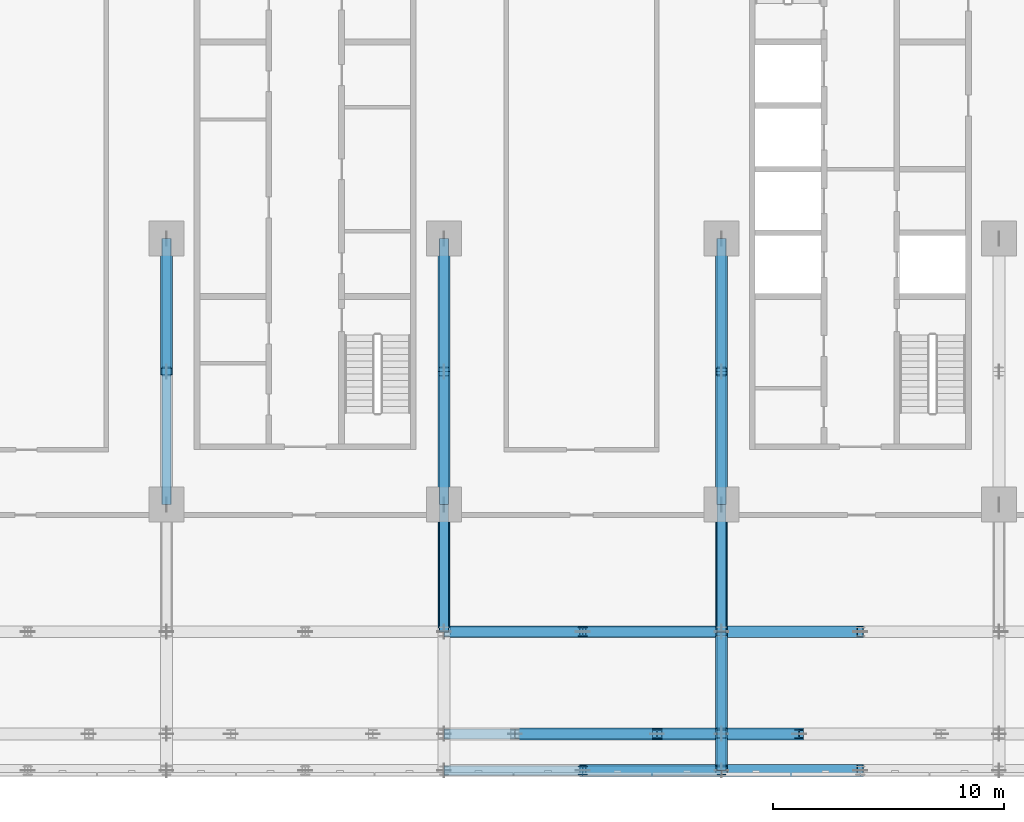
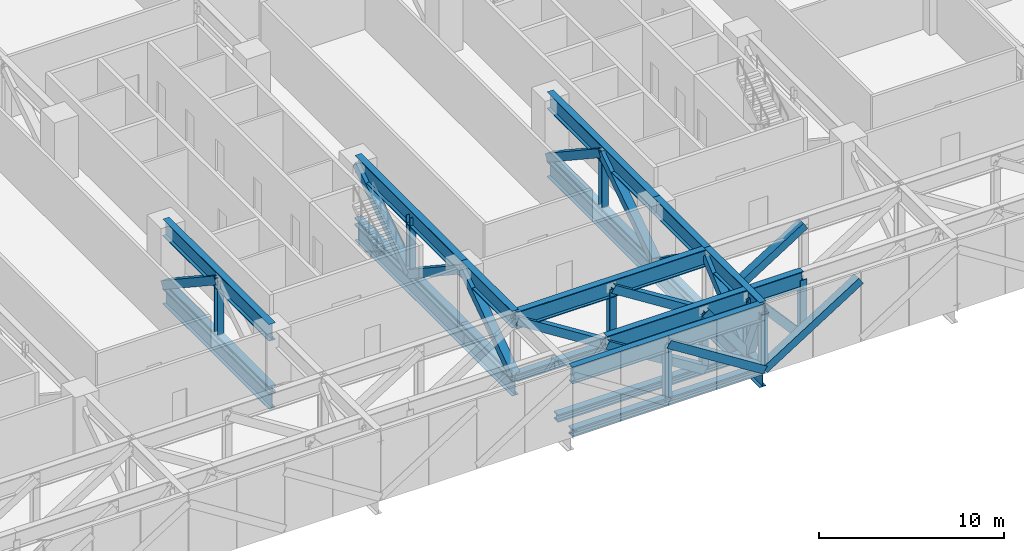
# One storey, part 5 of 26: 44 members, 6 beams.
"""IFC4 building model written with IfcOpenShell, lengths in metres."""

from ifc_helpers import new_model, si_unit, direction, frame, origin, origin_2d, place, context, subcontext, project, spatial, hollow_rectangle, i_section, extrude, material, material_profile, profile_set, type_object, element, save


model = new_model("IFC4")

# Units and contexts
model_context = context("Model", 3, precision=1e-05, world=origin(), true_north=direction((0.0, 1.0)))
body_context = subcontext(model_context, "Body", "Model", "MODEL_VIEW")
ifc_project = project(units=[si_unit("LENGTHUNIT", "METRE"), si_unit("AREAUNIT", "SQUARE_METRE"), si_unit("VOLUMEUNIT", "CUBIC_METRE"), si_unit("PLANEANGLEUNIT", "RADIAN"), si_unit("MASSUNIT", "GRAM", prefix="KILO")], contexts=[model_context])

# Site, building, storey
site_placement = place(None, origin())
site = spatial("IfcSite", under=ifc_project, at=site_placement, CompositionType="ELEMENT")
building_placement = place(site_placement, origin())
building = spatial("IfcBuilding", under=site, at=building_placement, Name="Mahtab Terrace Research Tower", CompositionType="ELEMENT")
storey_placement = place(building_placement, frame((0.0, 0.0, 80.39990234375)))
storey = spatial("IfcBuildingStorey", under=building, at=storey_placement, Name="L18", CompositionType="ELEMENT", Elevation=80.39990234375)

# Members
ifc_material_1 = material(Name="Steel ASTM A500 Gr C", Category="steel")
ifc_material_profile_1 = material_profile(ifc_material_1, hollow_rectangle(XDim=0.508056640625, YDim=0.508056640625, WallThickness=0.01904296875, at=origin_2d()), Name="HSS20X20X3/4")
ifc_profile_set_1 = profile_set([ifc_material_profile_1], Name="Steel ASTM A500 Gr C")
member_type_1 = type_object("IfcMemberType", Name="HSS 20x20x3/4 brace TD202034", PredefinedType="BRACE", material=ifc_profile_set_1)
member_1_placement = place(storey_placement, frame((-6.0, 0.0, -0.29345703125), z_axis=(0.0, -0.834630911502, 0.550809623704), x_axis=(1.0, 0.0, 0.0)))
element("IfcMember", 1, at=member_1_placement, inside=storey, type_object=member_type_1, Name="Transfer truss T2 diagonal 056", PredefinedType="BRACE", context=body_context, shape_type="SweptSolid", body=[
    extrude(hollow_rectangle(XDim=0.508056640625, YDim=0.508056640625, WallThickness=0.01904296875, at=origin_2d()), origin(), (0.0, 0.0, 1.0), 6.88916015625),
])
member_2_placement = place(storey_placement, frame((12.0, -17.0, -0.29345703125), z_axis=(-0.845157783708, 0.0, 0.534516903978), x_axis=(0.0, -1.0, 0.0)))
element("IfcMember", 2, at=member_2_placement, inside=storey, type_object=member_type_1, Name="Transfer truss T2 diagonal 070", PredefinedType="BRACE", context=body_context, shape_type="SweptSolid", body=[
    extrude(hollow_rectangle(XDim=0.508056640625, YDim=0.508056640625, WallThickness=0.01904296875, at=origin_2d()), origin(), (0.0, 0.0, 1.0), 7.099365234375),
])
member_3_placement = place(storey_placement, frame((6.0, -17.0, -0.29345703125), z_axis=(0.0, 0.82310265931, 0.567892606253), x_axis=(-1.0, 0.0, 0.0)))
element("IfcMember", 3, at=member_3_placement, inside=storey, type_object=member_type_1, Name="Transfer truss T2 diagonal 071", PredefinedType="BRACE", context=body_context, shape_type="SweptSolid", body=[
    extrude(hollow_rectangle(XDim=0.508056640625, YDim=0.508056640625, WallThickness=0.01904296875, at=origin_2d()), origin(), (0.0, 0.0, 1.0), 6.68212890625),
])
for number, where, z_axis, x_axis, name in (
    (4, (6.0, -5.75, -0.29345703125), (0.0, -0.834630911502, 0.550809623704), (1.0, 0.0, 0.0), "Transfer truss T2 diagonal 072"),
    (5, (6.0, -5.75, -0.29345703125), (0.0, 0.834630911502, 0.550809623704), (-1.0, 0.0, 0.0), "Transfer truss T2 diagonal 073"),
):
    element("IfcMember", number, at=place(storey_placement, frame(where, z_axis=z_axis, x_axis=x_axis)), inside=storey, type_object=member_type_1, Name=name, PredefinedType="BRACE", context=body_context, shape_type="SweptSolid", body=[
        extrude(hollow_rectangle(XDim=0.508056640625, YDim=0.508056640625, WallThickness=0.01904296875, at=origin_2d()), origin(), (0.0, 0.0, 1.0), 6.88916015625),
    ])
member_4_placement = place(storey_placement, frame((15.2119140625, -21.416015625, -0.29345703125), z_axis=(-0.850687241188, 0.0, 0.525672157984), x_axis=(0.0, -1.0, 0.0)))
element("IfcMember", 6, at=member_4_placement, inside=storey, type_object=member_type_1, Name="Transfer truss T2 diagonal 078", PredefinedType="BRACE", context=body_context, shape_type="SweptSolid", body=[
    extrude(hollow_rectangle(XDim=0.508056640625, YDim=0.508056640625, WallThickness=0.01904296875, at=origin_2d()), origin(), (0.0, 0.0, 1.0), 7.21875),
])
member_5_placement = place(storey_placement, frame((18.0, -17.0, -0.29345703125), z_axis=(-0.845157783708, 0.0, 0.534516903978), x_axis=(0.0, -1.0, 0.0)))
element("IfcMember", 7, at=member_5_placement, inside=storey, type_object=member_type_1, Name="Transfer truss T2 diagonal 080", PredefinedType="BRACE", context=body_context, shape_type="SweptSolid", body=[
    extrude(hollow_rectangle(XDim=0.508056640625, YDim=0.508056640625, WallThickness=0.01904296875, at=origin_2d()), origin(), (0.0, 0.0, 1.0), 7.099365234375),
])
member_6_placement = place(storey_placement, frame((18.0, -21.416015625, -0.29345703125), z_axis=(-0.592098423699, 0.0, 0.805865656703), x_axis=(0.0, -1.0, 0.0)))
element("IfcMember", 8, at=member_6_placement, inside=storey, type_object=member_type_1, Name="Transfer truss T2 diagonal 082", PredefinedType="BRACE", context=body_context, shape_type="SweptSolid", body=[
    extrude(hollow_rectangle(XDim=0.508056640625, YDim=0.508056640625, WallThickness=0.01904296875, at=origin_2d()), origin(), (0.0, 0.0, 1.0), 4.708740234375),
])
member_7_placement = place(storey_placement, frame((18.0, -23.0, -0.29345703125), z_axis=(-0.845157783708, 0.0, 0.534516903978), x_axis=(0.0, -1.0, 0.0)))
element("IfcMember", 9, at=member_7_placement, inside=storey, type_object=member_type_1, Name="Transfer truss T2 diagonal 083", PredefinedType="BRACE", context=body_context, shape_type="SweptSolid", body=[
    extrude(hollow_rectangle(XDim=0.508056640625, YDim=0.508056640625, WallThickness=0.01904296875, at=origin_2d()), origin(), (0.0, 0.0, 1.0), 7.099365234375),
])
member_8_placement = place(storey_placement, frame((18.0, -21.416015625, -0.29345703125), z_axis=(0.0, -0.385209733972, 0.922829052887), x_axis=(1.0, 0.0, 0.0)))
element("IfcMember", 10, at=member_8_placement, inside=storey, type_object=member_type_1, Name="Transfer truss T2 diagonal 084", PredefinedType="BRACE", context=body_context, shape_type="SweptSolid", body=[
    extrude(hollow_rectangle(XDim=0.508056640625, YDim=0.508056640625, WallThickness=0.01904296875, at=origin_2d()), origin(), (0.0, 0.0, 1.0), 4.112060546875),
])
member_9_placement = place(storey_placement, frame((18.0, -21.416015625, -0.29345703125), z_axis=(0.0, 0.75844798203, 0.651733579428), x_axis=(-1.0, 0.0, 0.0)))
element("IfcMember", 11, at=member_9_placement, inside=storey, type_object=member_type_1, Name="Transfer truss T2 diagonal 085", PredefinedType="BRACE", context=body_context, shape_type="SweptSolid", body=[
    extrude(hollow_rectangle(XDim=0.508056640625, YDim=0.508056640625, WallThickness=0.01904296875, at=origin_2d()), origin(), (0.0, 0.0, 1.0), 5.822509765625),
])
member_10_placement = place(storey_placement, frame((21.35400390625, -21.416015625, -0.29345703125), z_axis=(-0.662260742177, 0.0, 0.749273454335), x_axis=(0.0, -1.0, 0.0)))
element("IfcMember", 12, at=member_10_placement, inside=storey, type_object=member_type_1, Name="Transfer truss T2 diagonal 086", PredefinedType="BRACE", context=body_context, shape_type="SweptSolid", body=[
    extrude(hollow_rectangle(XDim=0.508056640625, YDim=0.508056640625, WallThickness=0.01904296875, at=origin_2d()), origin(), (0.0, 0.0, 1.0), 5.064453125),
])
member_11_placement = place(storey_placement, frame((18.0, -17.0, -0.29345703125), z_axis=(0.845157783708, 0.0, 0.534516903978), x_axis=(0.0, 1.0, 0.0)))
element("IfcMember", 13, at=member_11_placement, inside=storey, type_object=member_type_1, Name="Transfer truss T2 diagonal 087", PredefinedType="BRACE", context=body_context, shape_type="SweptSolid", body=[
    extrude(hollow_rectangle(XDim=0.508056640625, YDim=0.508056640625, WallThickness=0.01904296875, at=origin_2d()), origin(), (0.0, 0.0, 1.0), 7.099365234375),
])
member_12_placement = place(storey_placement, frame((18.0, -11.5, -0.29345703125), z_axis=(0.0, -0.82310265931, 0.567892606253), x_axis=(1.0, 0.0, 0.0)))
element("IfcMember", 14, at=member_12_placement, inside=storey, type_object=member_type_1, Name="Transfer truss T2 diagonal 088", PredefinedType="BRACE", context=body_context, shape_type="SweptSolid", body=[
    extrude(hollow_rectangle(XDim=0.508056640625, YDim=0.508056640625, WallThickness=0.01904296875, at=origin_2d()), origin(), (0.0, 0.0, 1.0), 6.68212890625),
])
for number, where, z_axis, x_axis, name in (
    (15, (18.0, -11.5, -0.29345703125), (0.0, 0.834630911502, 0.550809623704), (-1.0, 0.0, 0.0), "Transfer truss T2 diagonal 089"),
    (16, (18.0, 0.0, -0.29345703125), (0.0, -0.834630911502, 0.550809623704), (1.0, 0.0, 0.0), "Transfer truss T2 diagonal 090"),
):
    element("IfcMember", number, at=place(storey_placement, frame(where, z_axis=z_axis, x_axis=x_axis)), inside=storey, type_object=member_type_1, Name=name, PredefinedType="BRACE", context=body_context, shape_type="SweptSolid", body=[
        extrude(hollow_rectangle(XDim=0.508056640625, YDim=0.508056640625, WallThickness=0.01904296875, at=origin_2d()), origin(), (0.0, 0.0, 1.0), 6.88916015625),
    ])
member_13_placement = place(storey_placement, frame((18.0, -23.0, -0.29345703125), z_axis=(0.845157783708, 0.0, 0.534516903978), x_axis=(0.0, 1.0, 0.0)))
element("IfcMember", 17, at=member_13_placement, inside=storey, type_object=member_type_1, Name="Transfer truss T2 diagonal 096", PredefinedType="BRACE", context=body_context, shape_type="SweptSolid", body=[
    extrude(hollow_rectangle(XDim=0.508056640625, YDim=0.508056640625, WallThickness=0.01904296875, at=origin_2d()), origin(), (0.0, 0.0, 1.0), 7.099365234375),
])
ifc_material_2 = material(Name="Steel ASTM A992 Gr 50", Category="steel")
ifc_material_profile_2 = material_profile(ifc_material_2, i_section(OverallWidth=0.398681640625, OverallDepth=0.393798828125, WebThickness=0.022705078125, FlangeThickness=0.03662109375, at=origin_2d()), Name="W14X193")
ifc_profile_set_2 = profile_set([ifc_material_profile_2], Name="Steel ASTM A992 Gr 50")
member_type_2 = type_object("IfcMemberType", Name="W14x193 post TP14193", PredefinedType="POST", material=ifc_profile_set_2)
for number, where, z_axis, x_axis, name in (
    (18, (-6.0, -5.75, -0.29345703125), (0.0, 0.0, 1.0), (1.0, 0.0, 0.0), "Transfer truss T2 post 049"),
    (19, (6.0, -5.75, -0.29345703125), (0.0, 0.0, 1.0), (1.0, 0.0, 0.0), "Transfer truss T2 post 064"),
    (20, (12.0, -23.0, -0.29345703125), (0.0, 0.0, 1.0), (1.0, 0.0, 0.0), "Transfer truss T2 post 071"),
    (21, (12.0, -17.0, -0.29345703125), (0.0, 0.0, 1.0), (1.0, 0.0, 0.0), "Transfer truss T2 post 072"),
    (22, (15.2099609375, -21.419921875, -0.29345703125), (0.0, 0.0, 1.0), (1.0, 0.0, 0.0), "Transfer truss T2 post 074"),
    (23, (18.0, -23.0, -0.29345703125), (0.0, 0.0, 1.0), (1.0, 0.0, 0.0), "Transfer truss T2 post 075"),
    (24, (18.0, -21.419921875, -0.29345703125), (0.0, 0.0, 1.0), (1.0, 0.0, 0.0), "Transfer truss T2 post 076"),
    (25, (18.0, -5.75, -0.29345703125), (0.0, 0.0, 1.0), (1.0, 0.0, 0.0), "Transfer truss T2 post 079"),
    (26, (21.35009765625, -21.419921875, -0.29345703125), (0.0, 0.0, 1.0), (1.0, 0.0, 0.0), "Transfer truss T2 post 085"),
):
    element("IfcMember", number, at=place(storey_placement, frame(where, z_axis=z_axis, x_axis=x_axis)), inside=storey, type_object=member_type_2, Name=name, PredefinedType="POST", context=body_context, shape_type="SweptSolid", body=[
        extrude(i_section(OverallWidth=0.398681640625, OverallDepth=0.393798828125, WebThickness=0.022705078125, FlangeThickness=0.03662109375, at=origin_2d()), origin(), (0.0, 0.0, 1.0), 3.794677734375),
    ])
ifc_material_profile_3 = material_profile(ifc_material_2, i_section(OverallWidth=0.43701171875, OverallDepth=0.51318359375, WebThickness=0.060546875, FlangeThickness=0.096923828125, at=origin_2d()), Name="W14X550")
ifc_profile_set_3 = profile_set([ifc_material_profile_3], Name="Steel ASTM A992 Gr 50")
member_type_3 = type_object("IfcMemberType", Name="W14x550 chord TC14550", PredefinedType="CHORD", material=ifc_profile_set_3)
for number, where, z_axis, x_axis, name in (
    (27, (6.0, -21.416015625, -0.29345703125), (1.0, 0.0, 0.0), (0.0, 1.0, 0.0), "Transfer truss T2 bottom chord 013"),
    (28, (18.0, -23.0, -0.29345703125), (-1.0, 0.0, 0.0), (0.0, -1.0, 0.0), "Transfer truss T2 bottom chord 023"),
    (29, (6.0, -17.0, -0.29345703125), (1.0, 0.0, 0.0), (0.0, 1.0, 0.0), "Transfer truss T2 bottom chord 030"),
):
    element("IfcMember", number, at=place(storey_placement, frame(where, z_axis=z_axis, x_axis=x_axis)), inside=storey, type_object=member_type_3, Name=name, PredefinedType="CHORD", context=body_context, shape_type="SweptSolid", body=[
        extrude(i_section(OverallWidth=0.43701171875, OverallDepth=0.51318359375, WebThickness=0.060546875, FlangeThickness=0.096923828125, at=origin_2d()), origin(), (0.0, 0.0, 1.0), 12.0),
    ])
member_14_placement = place(storey_placement, frame((-6.0, -11.5, -0.29345703125), z_axis=(0.0, 1.0, 0.0), x_axis=(-1.0, 0.0, 0.0)))
element("IfcMember", 30, at=member_14_placement, inside=storey, type_object=member_type_3, Name="Transfer truss T2 bottom chord 048", PredefinedType="CHORD", context=body_context, shape_type="SweptSolid", body=[
    extrude(i_section(OverallWidth=0.43701171875, OverallDepth=0.51318359375, WebThickness=0.060546875, FlangeThickness=0.096923828125, at=origin_2d()), origin(), (0.0, 0.0, 1.0), 11.5),
])
member_15_placement = place(storey_placement, frame((6.0, -17.0, -0.29345703125), z_axis=(0.0, 1.0, 0.0), x_axis=(-1.0, 0.0, 0.0)))
element("IfcMember", 31, at=member_15_placement, inside=storey, type_object=member_type_3, Name="Transfer truss T2 bottom chord 052", PredefinedType="CHORD", context=body_context, shape_type="SweptSolid", body=[
    extrude(i_section(OverallWidth=0.43701171875, OverallDepth=0.51318359375, WebThickness=0.060546875, FlangeThickness=0.096923828125, at=origin_2d()), origin(), (0.0, 0.0, 1.0), 5.5),
])
member_16_placement = place(storey_placement, frame((6.0, -11.5, -0.29345703125), z_axis=(0.0, 1.0, 0.0), x_axis=(-1.0, 0.0, 0.0)))
element("IfcMember", 32, at=member_16_placement, inside=storey, type_object=member_type_3, Name="Transfer truss T2 bottom chord 053", PredefinedType="CHORD", context=body_context, shape_type="SweptSolid", body=[
    extrude(i_section(OverallWidth=0.43701171875, OverallDepth=0.51318359375, WebThickness=0.060546875, FlangeThickness=0.096923828125, at=origin_2d()), origin(), (0.0, 0.0, 1.0), 11.5),
])
member_17_placement = place(storey_placement, frame((18.0, -23.0, -0.29345703125), z_axis=(0.0, 1.0, 0.0), x_axis=(-1.0, 0.0, 0.0)))
element("IfcMember", 33, at=member_17_placement, inside=storey, type_object=member_type_3, Name="Transfer truss T2 bottom chord 056", PredefinedType="CHORD", context=body_context, shape_type="SweptSolid", body=[
    extrude(i_section(OverallWidth=0.43701171875, OverallDepth=0.51318359375, WebThickness=0.060546875, FlangeThickness=0.096923828125, at=origin_2d()), origin(), (0.0, 0.0, 1.0), 6.0),
])
member_18_placement = place(storey_placement, frame((18.0, -17.0, -0.29345703125), z_axis=(0.0, 1.0, 0.0), x_axis=(-1.0, 0.0, 0.0)))
element("IfcMember", 34, at=member_18_placement, inside=storey, type_object=member_type_3, Name="Transfer truss T2 bottom chord 057", PredefinedType="CHORD", context=body_context, shape_type="SweptSolid", body=[
    extrude(i_section(OverallWidth=0.43701171875, OverallDepth=0.51318359375, WebThickness=0.060546875, FlangeThickness=0.096923828125, at=origin_2d()), origin(), (0.0, 0.0, 1.0), 5.5),
])
member_19_placement = place(storey_placement, frame((18.0, -11.5, -0.29345703125), z_axis=(0.0, 1.0, 0.0), x_axis=(-1.0, 0.0, 0.0)))
element("IfcMember", 35, at=member_19_placement, inside=storey, type_object=member_type_3, Name="Transfer truss T2 bottom chord 058", PredefinedType="CHORD", context=body_context, shape_type="SweptSolid", body=[
    extrude(i_section(OverallWidth=0.43701171875, OverallDepth=0.51318359375, WebThickness=0.060546875, FlangeThickness=0.096923828125, at=origin_2d()), origin(), (0.0, 0.0, 1.0), 11.5),
])

# Beams
ifc_material_profile_4 = material_profile(ifc_material_2, i_section(OverallWidth=0.4013671875, OverallDepth=1.000732421875, WebThickness=0.01904296875, FlangeThickness=0.0361328125, at=origin_2d()), Name="W40X249")
ifc_profile_set_4 = profile_set([ifc_material_profile_4], Name="Steel ASTM A992 Gr 50")
beam_type = type_object("IfcBeamType", Name="W40x249 transfer girder TG40249", PredefinedType="BEAM", material=ifc_profile_set_4)
beam_1_placement = place(storey_placement, frame((-6.0, -11.5, -1.04833984375), z_axis=(0.0, 1.0, 0.0), x_axis=(-1.0, 0.0, 0.0)))
element("IfcBeam", 36, at=beam_1_placement, inside=storey, type_object=beam_type, Name="Transfer girder T2 23", PredefinedType="BEAM", context=body_context, shape_type="SweptSolid", body=[
    extrude(i_section(OverallWidth=0.4013671875, OverallDepth=1.000732421875, WebThickness=0.01904296875, FlangeThickness=0.0361328125, at=origin_2d()), origin(), (0.0, 0.0, 1.0), 11.5),
])
beam_2_placement = place(storey_placement, frame((6.0, -17.0, -1.04833984375), z_axis=(0.0, 1.0, 0.0), x_axis=(-1.0, 0.0, 0.0)))
element("IfcBeam", 37, at=beam_2_placement, inside=storey, type_object=beam_type, Name="Transfer girder T2 25", PredefinedType="BEAM", context=body_context, shape_type="SweptSolid", body=[
    extrude(i_section(OverallWidth=0.4013671875, OverallDepth=1.000732421875, WebThickness=0.01904296875, FlangeThickness=0.0361328125, at=origin_2d()), origin(), (0.0, 0.0, 1.0), 5.5),
])
beam_3_placement = place(storey_placement, frame((6.0, -11.5, -1.04833984375), z_axis=(0.0, 1.0, 0.0), x_axis=(-1.0, 0.0, 0.0)))
element("IfcBeam", 38, at=beam_3_placement, inside=storey, type_object=beam_type, Name="Transfer girder T2 26", PredefinedType="BEAM", context=body_context, shape_type="SweptSolid", body=[
    extrude(i_section(OverallWidth=0.4013671875, OverallDepth=1.000732421875, WebThickness=0.01904296875, FlangeThickness=0.0361328125, at=origin_2d()), origin(), (0.0, 0.0, 1.0), 11.5),
])
beam_4_placement = place(storey_placement, frame((18.0, -23.0, -1.04833984375), z_axis=(0.0, 1.0, 0.0), x_axis=(-1.0, 0.0, 0.0)))
element("IfcBeam", 39, at=beam_4_placement, inside=storey, type_object=beam_type, Name="Transfer girder T2 27", PredefinedType="BEAM", context=body_context, shape_type="SweptSolid", body=[
    extrude(i_section(OverallWidth=0.4013671875, OverallDepth=1.000732421875, WebThickness=0.01904296875, FlangeThickness=0.0361328125, at=origin_2d()), origin(), (0.0, 0.0, 1.0), 6.0),
])
beam_5_placement = place(storey_placement, frame((18.0, -17.0, -1.04833984375), z_axis=(0.0, 1.0, 0.0), x_axis=(-1.0, 0.0, 0.0)))
element("IfcBeam", 40, at=beam_5_placement, inside=storey, type_object=beam_type, Name="Transfer girder T2 28", PredefinedType="BEAM", context=body_context, shape_type="SweptSolid", body=[
    extrude(i_section(OverallWidth=0.4013671875, OverallDepth=1.000732421875, WebThickness=0.01904296875, FlangeThickness=0.0361328125, at=origin_2d()), origin(), (0.0, 0.0, 1.0), 5.5),
])
beam_6_placement = place(storey_placement, frame((18.0, -11.5, -1.04833984375), z_axis=(0.0, 1.0, 0.0), x_axis=(-1.0, 0.0, 0.0)))
element("IfcBeam", 41, at=beam_6_placement, inside=storey, type_object=beam_type, Name="Transfer girder T2 29", PredefinedType="BEAM", context=body_context, shape_type="SweptSolid", body=[
    extrude(i_section(OverallWidth=0.4013671875, OverallDepth=1.000732421875, WebThickness=0.01904296875, FlangeThickness=0.0361328125, at=origin_2d()), origin(), (0.0, 0.0, 1.0), 11.5),
])

# Members
ifc_material_profile_5 = material_profile(ifc_material_2, i_section(OverallWidth=0.40380859375, OverallDepth=1.11767578125, WebThickness=0.026123046875, FlangeThickness=0.044921875, at=origin_2d()), Name="W44X335")
ifc_profile_set_5 = profile_set([ifc_material_profile_5], Name="Steel ASTM A992 Gr 50")
member_type_4 = type_object("IfcMemberType", Name="W44x335 chord TT44335", PredefinedType="CHORD", material=ifc_profile_set_5)
member_20_placement = place(storey_placement, frame((9.071044921875, -21.416015625, 3.501220703125), z_axis=(1.0, 0.0, 0.0), x_axis=(0.0, 1.0, 0.0)))
element("IfcMember", 42, at=member_20_placement, inside=storey, type_object=member_type_4, Name="Transfer truss T2 top chord 012", PredefinedType="CHORD", context=body_context, shape_type="SweptSolid", body=[
    extrude(i_section(OverallWidth=0.40380859375, OverallDepth=1.11767578125, WebThickness=0.026123046875, FlangeThickness=0.044921875, at=origin_2d()), origin(), (0.0, 0.0, 1.0), 12.282958984375),
])
for number, where, z_axis, x_axis, name in (
    (43, (18.0, -23.0, 3.501220703125), (-1.0, 0.0, 0.0), (0.0, -1.0, 0.0), "Transfer truss T2 top chord 022"),
    (44, (6.0, -17.0, 3.501220703125), (1.0, 0.0, 0.0), (0.0, 1.0, 0.0), "Transfer truss T2 top chord 029"),
):
    element("IfcMember", number, at=place(storey_placement, frame(where, z_axis=z_axis, x_axis=x_axis)), inside=storey, type_object=member_type_4, Name=name, PredefinedType="CHORD", context=body_context, shape_type="SweptSolid", body=[
        extrude(i_section(OverallWidth=0.40380859375, OverallDepth=1.11767578125, WebThickness=0.026123046875, FlangeThickness=0.044921875, at=origin_2d()), origin(), (0.0, 0.0, 1.0), 12.0),
    ])
member_21_placement = place(storey_placement, frame((-6.0, -11.5, 3.501220703125), z_axis=(0.0, 1.0, 0.0), x_axis=(-1.0, 0.0, 0.0)))
element("IfcMember", 45, at=member_21_placement, inside=storey, type_object=member_type_4, Name="Transfer truss T2 top chord 047", PredefinedType="CHORD", context=body_context, shape_type="SweptSolid", body=[
    extrude(i_section(OverallWidth=0.40380859375, OverallDepth=1.11767578125, WebThickness=0.026123046875, FlangeThickness=0.044921875, at=origin_2d()), origin(), (0.0, 0.0, 1.0), 11.5),
])
member_22_placement = place(storey_placement, frame((6.0, -17.0, 3.501220703125), z_axis=(0.0, 1.0, 0.0), x_axis=(-1.0, 0.0, 0.0)))
element("IfcMember", 46, at=member_22_placement, inside=storey, type_object=member_type_4, Name="Transfer truss T2 top chord 051", PredefinedType="CHORD", context=body_context, shape_type="SweptSolid", body=[
    extrude(i_section(OverallWidth=0.40380859375, OverallDepth=1.11767578125, WebThickness=0.026123046875, FlangeThickness=0.044921875, at=origin_2d()), origin(), (0.0, 0.0, 1.0), 5.5),
])
member_23_placement = place(storey_placement, frame((6.0, -11.5, 3.501220703125), z_axis=(0.0, 1.0, 0.0), x_axis=(-1.0, 0.0, 0.0)))
element("IfcMember", 47, at=member_23_placement, inside=storey, type_object=member_type_4, Name="Transfer truss T2 top chord 052", PredefinedType="CHORD", context=body_context, shape_type="SweptSolid", body=[
    extrude(i_section(OverallWidth=0.40380859375, OverallDepth=1.11767578125, WebThickness=0.026123046875, FlangeThickness=0.044921875, at=origin_2d()), origin(), (0.0, 0.0, 1.0), 11.5),
])
member_24_placement = place(storey_placement, frame((18.0, -23.0, 3.501220703125), z_axis=(0.0, 1.0, 0.0), x_axis=(-1.0, 0.0, 0.0)))
element("IfcMember", 48, at=member_24_placement, inside=storey, type_object=member_type_4, Name="Transfer truss T2 top chord 055", PredefinedType="CHORD", context=body_context, shape_type="SweptSolid", body=[
    extrude(i_section(OverallWidth=0.40380859375, OverallDepth=1.11767578125, WebThickness=0.026123046875, FlangeThickness=0.044921875, at=origin_2d()), origin(), (0.0, 0.0, 1.0), 6.0),
])
member_25_placement = place(storey_placement, frame((18.0, -17.0, 3.501220703125), z_axis=(0.0, 1.0, 0.0), x_axis=(-1.0, 0.0, 0.0)))
element("IfcMember", 49, at=member_25_placement, inside=storey, type_object=member_type_4, Name="Transfer truss T2 top chord 056", PredefinedType="CHORD", context=body_context, shape_type="SweptSolid", body=[
    extrude(i_section(OverallWidth=0.40380859375, OverallDepth=1.11767578125, WebThickness=0.026123046875, FlangeThickness=0.044921875, at=origin_2d()), origin(), (0.0, 0.0, 1.0), 5.5),
])
member_26_placement = place(storey_placement, frame((18.0, -11.5, 3.501220703125), z_axis=(0.0, 1.0, 0.0), x_axis=(-1.0, 0.0, 0.0)))
element("IfcMember", 50, at=member_26_placement, inside=storey, type_object=member_type_4, Name="Transfer truss T2 top chord 057", PredefinedType="CHORD", context=body_context, shape_type="SweptSolid", body=[
    extrude(i_section(OverallWidth=0.40380859375, OverallDepth=1.11767578125, WebThickness=0.026123046875, FlangeThickness=0.044921875, at=origin_2d()), origin(), (0.0, 0.0, 1.0), 11.5),
])

save(model, "model.ifc")
